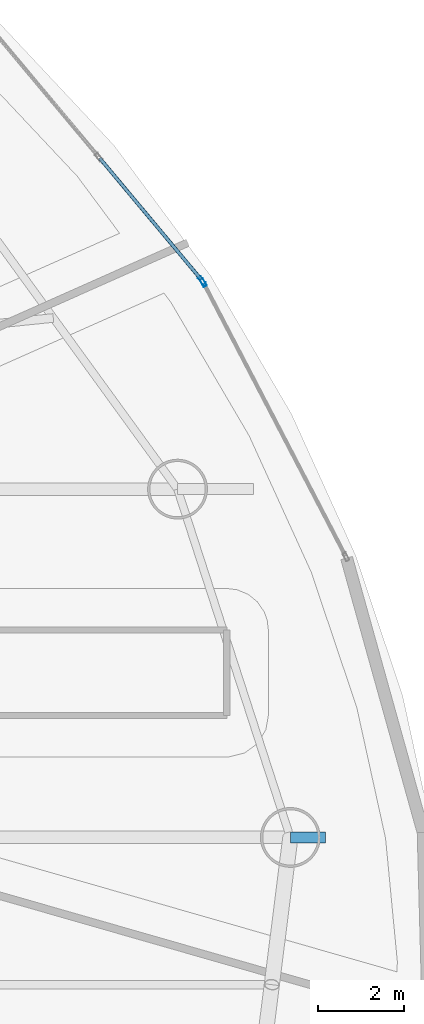
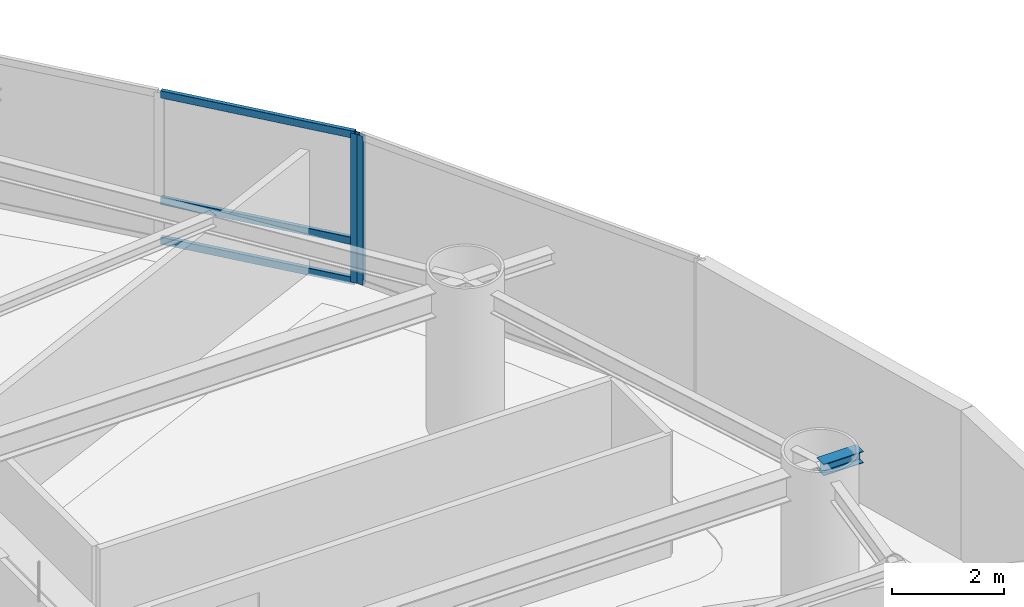
# One storey, part 13 of 20: 5 members, 1 beam, 2 elements without a shape of their own.
"""IFC4 building model written with IfcOpenShell, lengths in metres."""

from ifc_helpers import new_model, si_unit, direction, frame, origin, origin_2d, place, context, subcontext, project, spatial, hollow_rectangle, i_section, extrude, material, layer, layer_set, material_profile, profile_set, type_object, element, aggregate, save


model = new_model("IFC4")

# Units and contexts
model_context = context("Model", 3, precision=1e-05, world=origin(), true_north=direction((0.0, 1.0)))
body_context = subcontext(model_context, "Body", "Model", "MODEL_VIEW")
ifc_project = project(units=[si_unit("LENGTHUNIT", "METRE"), si_unit("AREAUNIT", "SQUARE_METRE"), si_unit("VOLUMEUNIT", "CUBIC_METRE"), si_unit("PLANEANGLEUNIT", "RADIAN"), si_unit("MASSUNIT", "GRAM", prefix="KILO")], contexts=[model_context])

# Site, building, storey
site_placement = place(None, origin())
site = spatial("IfcSite", under=ifc_project, at=site_placement, CompositionType="ELEMENT")
building_placement = place(site_placement, origin())
building = spatial("IfcBuilding", under=site, at=building_placement, Name="Bramvorn Convention Spire", CompositionType="ELEMENT")
storey_placement = place(building_placement, frame((0.0, 0.0, 144.800048828125)))
storey = spatial("IfcBuildingStorey", under=building, at=storey_placement, Name="L36", CompositionType="ELEMENT", Elevation=144.800048828125)

# Beam
ifc_material_1 = material(Name="Steel CSA G40.21 Grade 350 (350W)", Category="steel")
ifc_material_profile_1 = material_profile(ifc_material_1, i_section(OverallWidth=0.25390625, OverallDepth=0.2529296875, WebThickness=0.008544921875, FlangeThickness=0.01416015625, FilletRadius=0.011962890625, at=origin_2d()))
ifc_profile_set_1 = profile_set([ifc_material_profile_1], Name="Steel CSA G40.21 Grade 350 (350W) - W250X73")
beam_type = type_object("IfcBeamType", Name="BM-W250X73", PredefinedType="BEAM", material=ifc_profile_set_1)
beam_placement = place(storey_placement, frame((62.983642578125, 22.148193359375, 3.133544921875), z_axis=(1.0, 0.0, 0.0), x_axis=(0.0, 1.0, 0.0)))
element("IfcBeam", 1, at=beam_placement, inside=storey, type_object=beam_type, Name="L36 slab-edge cantilever tip beam MC02", PredefinedType="BEAM", context=body_context, shape_type="SweptSolid", body=[
    extrude(i_section(OverallWidth=0.25390625, OverallDepth=0.2529296875, WebThickness=0.008544921875, FlangeThickness=0.01416015625, FilletRadius=0.011962890625, at=origin_2d()), origin(), (0.0, 0.0, 1.0), 0.82275390625),
])

# Curtain wall, member
ifc_material_2 = material(Name="Anodised Bronze Unitised Curtain Wall", Category="aluminium")
ifc_layer = layer(ifc_material_2, 0.179931640625)
ifc_layer_set = layer_set([ifc_layer], Name="Anodised Bronze Unitised Curtain Wall - CW-HTL-FRIT")
curtain_wall_type = type_object("IfcCurtainWallType", Name="CW-HTL-FRIT", PredefinedType="USERDEFINED", material=ifc_layer_set)
curtain_wall_1_placement = place(storey_placement, origin())
curtain_wall_1 = element("IfcCurtainWall", 2, at=curtain_wall_1_placement, inside=storey, type_object=curtain_wall_type, Name="L36 fritted glass curtain wall 04", ObjectType="UNITISED CURTAIN WALL", PredefinedType="USERDEFINED")
ifc_material_3 = material(Name="Anodised Bronze Aluminium 6063-T6", Category="aluminium")
ifc_material_profile_2 = material_profile(ifc_material_3, hollow_rectangle(XDim=0.080078125, YDim=0.199951171875, WallThickness=0.00390625, InnerFilletRadius=0.0009765625, OuterFilletRadius=0.00390625, at=origin_2d()))
ifc_profile_set_2 = profile_set([ifc_material_profile_2], Name="Anodised Bronze Aluminium 6063-T6 - CWM80X200")
member_type_1 = type_object("IfcMemberType", Name="CW-MUL-180", PredefinedType="MULLION", material=ifc_profile_set_2)
member_1_placement = place(storey_placement, frame((60.94970703125, 35.124267578125, 0.0), z_axis=(0.0, 0.0, 1.0), x_axis=(0.887216127619, 0.461354032054, 0.0)))
member_1 = element("IfcMember", 3, at=member_1_placement, type_object=member_type_1, Name="CW2 mullion 1", PredefinedType="MULLION", context=body_context, shape_type="SweptSolid", body=[
    extrude(hollow_rectangle(XDim=0.080078125, YDim=0.199951171875, WallThickness=0.00390625, InnerFilletRadius=0.0009765625, OuterFilletRadius=0.00390625, at=origin_2d()), origin(), (0.0, 0.0, 1.0), 3.260009765625),
])
aggregate(curtain_wall_1, [member_1])

# Curtain wall, members
curtain_wall_2_placement = place(storey_placement, origin())
curtain_wall_2 = element("IfcCurtainWall", 4, at=curtain_wall_2_placement, inside=storey, type_object=curtain_wall_type, Name="L36 fritted glass curtain wall 05", ObjectType="UNITISED CURTAIN WALL", PredefinedType="USERDEFINED")
member_2_placement = place(storey_placement, frame((60.916748046875, 35.173828125, 0.0), z_axis=(0.0, 0.0, 1.0), x_axis=(0.767161148378, 0.641454419596, 0.0)))
member_2 = element("IfcMember", 5, at=member_2_placement, type_object=member_type_1, Name="CW2 mullion 3", PredefinedType="MULLION", context=body_context, shape_type="SweptSolid", body=[
    extrude(hollow_rectangle(XDim=0.080078125, YDim=0.199951171875, WallThickness=0.00390625, InnerFilletRadius=0.0009765625, OuterFilletRadius=0.00390625, at=origin_2d()), origin(), (0.0, 0.0, 1.0), 3.260009765625),
])
ifc_material_profile_3 = material_profile(ifc_material_3, hollow_rectangle(XDim=0.080078125, YDim=0.159912109375, WallThickness=0.00390625, InnerFilletRadius=0.0009765625, OuterFilletRadius=0.00390625, at=origin_2d()))
ifc_profile_set_3 = profile_set([ifc_material_profile_3], Name="Anodised Bronze Aluminium 6063-T6 - CWT80X160")
member_type_2 = type_object("IfcMemberType", Name="CW-TRN-150", PredefinedType="USERDEFINED", material=ifc_profile_set_3)
member_3_placement = place(storey_placement, frame((58.527587890625, 38.03125, 0.030029296875), z_axis=(0.641463996542, -0.767153140605, 0.0), x_axis=(0.767153140605, 0.641463996542, 0.0)))
member_3 = element("IfcMember", 6, at=member_3_placement, type_object=member_type_2, Name="CW2 transom 2.1", ObjectType="TRANSOM", PredefinedType="USERDEFINED", context=body_context, shape_type="SweptSolid", body=[
    extrude(hollow_rectangle(XDim=0.080078125, YDim=0.159912109375, WallThickness=0.00390625, InnerFilletRadius=0.0009765625, OuterFilletRadius=0.00390625, at=origin_2d()), origin(), (0.0, 0.0, 1.0), 3.694580078125),
])
member_4_placement = place(storey_placement, frame((58.527587890625, 38.03125, 0.89990234375), z_axis=(0.641463996542, -0.767153140605, 0.0), x_axis=(0.767153140605, 0.641463996542, 0.0)))
member_4 = element("IfcMember", 7, at=member_4_placement, type_object=member_type_2, Name="CW2 transom 2.2", ObjectType="TRANSOM", PredefinedType="USERDEFINED", context=body_context, shape_type="SweptSolid", body=[
    extrude(hollow_rectangle(XDim=0.080078125, YDim=0.159912109375, WallThickness=0.00390625, InnerFilletRadius=0.0009765625, OuterFilletRadius=0.00390625, at=origin_2d()), origin(), (0.0, 0.0, 1.0), 3.694580078125),
])
member_5_placement = place(storey_placement, frame((58.527587890625, 38.03125, 3.22998046875), z_axis=(0.641463996542, -0.767153140605, 0.0), x_axis=(0.767153140605, 0.641463996542, 0.0)))
member_5 = element("IfcMember", 8, at=member_5_placement, type_object=member_type_2, Name="CW2 transom 2.3", ObjectType="TRANSOM", PredefinedType="USERDEFINED", context=body_context, shape_type="SweptSolid", body=[
    extrude(hollow_rectangle(XDim=0.080078125, YDim=0.159912109375, WallThickness=0.00390625, InnerFilletRadius=0.0009765625, OuterFilletRadius=0.00390625, at=origin_2d()), origin(), (0.0, 0.0, 1.0), 3.694580078125),
])
aggregate(curtain_wall_2, [member_2, member_3, member_4, member_5])

save(model, "model.ifc")
